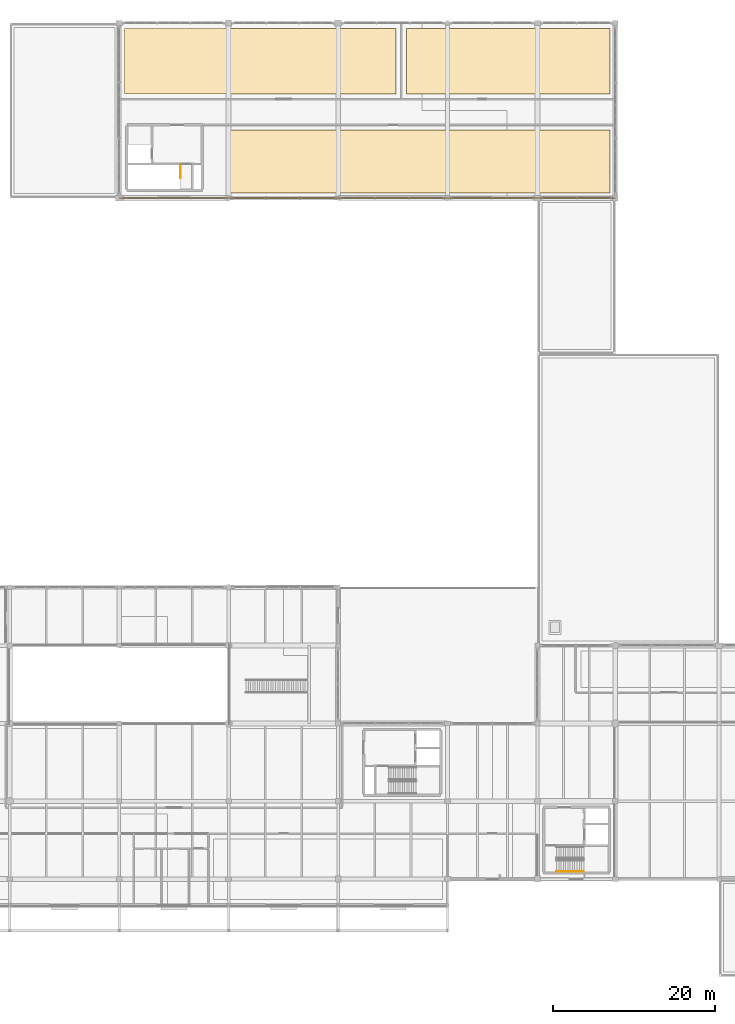
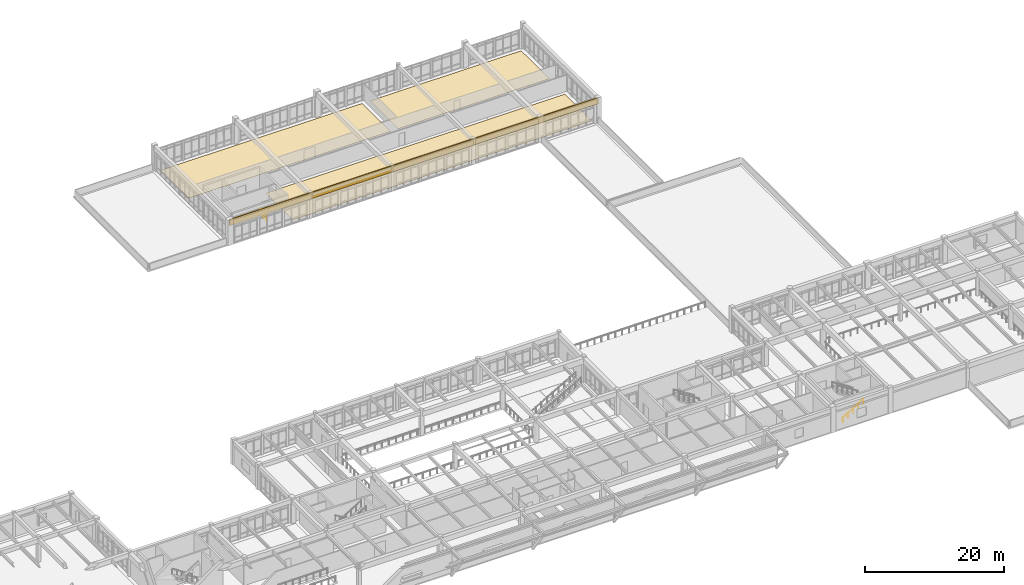
# One storey, part 106 of 109: 4 coverings, 2 railings.
"""IFC4 building model written with IfcOpenShell, lengths in metres."""

from ifc_helpers import new_model, si_unit, direction, frame, frame_2d, origin, origin_2d, place, context, subcontext, project, spatial, polyline, rectangle, circle, outline, extrude, material, layer, layer_set, type_object, element, save


model = new_model("IFC4")

# Units and contexts
model_context = context("Model", 3, precision=1e-05, world=origin(), true_north=direction((0.0, 1.0)))
body_context = subcontext(model_context, "Body", "Model", "MODEL_VIEW")
ifc_project = project(units=[si_unit("LENGTHUNIT", "METRE"), si_unit("AREAUNIT", "SQUARE_METRE"), si_unit("VOLUMEUNIT", "CUBIC_METRE"), si_unit("PLANEANGLEUNIT", "RADIAN"), si_unit("MASSUNIT", "GRAM", prefix="KILO")], contexts=[model_context])

# Site, building, storey
site_placement = place(None, origin())
site = spatial("IfcSite", under=ifc_project, at=site_placement, CompositionType="ELEMENT")
building_placement = place(site_placement, origin())
building = spatial("IfcBuilding", under=site, at=building_placement, Name="Fikremerkos Civic Library", CompositionType="ELEMENT")
storey_placement = place(building_placement, frame((0.0, 0.0, 5.39990234375)))
storey = spatial("IfcBuildingStorey", under=building, at=storey_placement, Name="L01", CompositionType="ELEMENT", Elevation=5.39990234375)

# Railing
ifc_material_1 = material(Name="Painted Steel S275", Category="steel")
railing_type_1 = type_object("IfcRailingType", Name="Interior balustrade guard RLG-INT 1100", PredefinedType="BALUSTRADE", material=ifc_material_1)
railing_1_placement = place(storey_placement, frame((80.75, 100.10009765625, 0.0)))
element("IfcRailing", 1, at=railing_1_placement, inside=storey, type_object=railing_type_1, Name="L01 ST-K5 top well guard 1", PredefinedType="BALUSTRADE", context=body_context, shape_type="SweptSolid", body=[
    extrude(circle(Radius=0.02392578125, at=origin_2d()), frame((0.0, 0.0, 1.076171875), z_axis=(0.0, -1.0, 0.0), x_axis=(1.0, 0.0, 0.0)), (0.0, 0.0, 1.0), 1.60009765625),
    extrude(circle(Radius=0.02099609375, at=origin_2d()), origin(), (0.0, 0.0, 1.0), 1.052001953125),
    extrude(circle(Radius=0.02099609375, at=origin_2d()), frame((0.0, -0.800048828125, 0.0)), (0.0, 0.0, 1.0), 1.052001953125),
    extrude(circle(Radius=0.02099609375, at=origin_2d()), frame((0.0, -1.60009765625, 0.0)), (0.0, 0.0, 1.0), 1.052001953125),
])

# Coverings
ifc_material_2 = material(Name="Polished basalt terrazzo", Category="masonry")
ifc_layer_1 = layer(ifc_material_2, 0.030029296875, Name="Polished basalt terrazzo")
ifc_layer_set_1 = layer_set([ifc_layer_1], Name="Polished basalt terrazzo")
covering_type_1 = type_object("IfcCoveringType", Name="Polished basalt terrazzo flooring FLR-01", PredefinedType="FLOORING", material=ifc_layer_set_1)
covering_1_placement = place(storey_placement, origin())
element("IfcCovering", 2, at=covering_1_placement, inside=storey, type_object=covering_type_1, Name="Terrazzo floor finish Children's Picture Book Loft", PredefinedType="FLOORING", context=body_context, shape_type="SweptSolid", body=[
    extrude(outline(polyline([(107.35009765625, 116.949951171875), (107.35009765625, 108.85009765625), (73.85009765625, 108.85009765625), (73.85009765625, 116.949951171875), (107.35009765625, 116.949951171875)])), origin(), (0.0, 0.0, 1.0), 0.030029296875),
])
covering_2_placement = place(storey_placement, origin())
element("IfcCovering", 3, at=covering_2_placement, inside=storey, type_object=covering_type_1, Name="Terrazzo floor finish Family Reading Room", PredefinedType="FLOORING", context=body_context, shape_type="SweptSolid", body=[
    extrude(outline(polyline([(133.75, 116.949951171875), (133.75, 108.85009765625), (108.64990234375, 108.85009765625), (108.64990234375, 116.949951171875), (133.75, 116.949951171875)])), origin(), (0.0, 0.0, 1.0), 0.030029296875),
])
covering_3_placement = place(storey_placement, origin())
element("IfcCovering", 4, at=covering_3_placement, inside=storey, type_object=covering_type_1, Name="Terrazzo floor finish Youth Digital Lab", PredefinedType="FLOORING", context=body_context, shape_type="SweptSolid", body=[
    extrude(outline(polyline([(133.75, 104.39990234375), (133.75, 96.64990234375), (84.10009765625, 96.64990234375), (84.10009765625, 104.39990234375), (133.75, 104.39990234375)])), origin(), (0.0, 0.0, 1.0), 0.030029296875),
])
ifc_material_3 = material(Name="Precast basalt cladding panel", Category="masonry")
ifc_layer_2 = layer(ifc_material_3, 0.159912109375, Name="Precast basalt cladding panel")
ifc_layer_set_2 = layer_set([ifc_layer_2], Name="Precast basalt cladding panel")
covering_type_2 = type_object("IfcCoveringType", Name="Precast basalt cladding panel CLD-02", PredefinedType="CLADDING", material=ifc_layer_set_2)
covering_4_placement = place(storey_placement, frame((73.199951171875, 96.0, 3.25), z_axis=(0.0, 0.0, 1.0), x_axis=(1.0, 0.0, 0.0)))
element("IfcCovering", 5, at=covering_4_placement, inside=storey, type_object=covering_type_2, Name="Children's pavilion south eave spandrel closure CLD-02", PredefinedType="CLADDING", context=body_context, shape_type="SweptSolid", body=[
    extrude(rectangle(XDim=61.199951171875, YDim=0.159912109375, at=frame_2d((30.60009765625, 0.0))), origin(), (0.0, 0.0, 1.0), 1.065185546875),
])

# Railing
ifc_material_4 = material(Name="Brushed stainless steel", Category="steel")
railing_type_2 = type_object("IfcRailingType", Name="Wall and flight handrail HRL-01 900", PredefinedType="HANDRAIL", material=ifc_material_4)
railing_2_placement = place(storey_placement, frame((127.14990234375, 12.949951171875, 0.173095703125)))
element("IfcRailing", 6, at=railing_2_placement, inside=storey, type_object=railing_type_2, Name="L01 ST-K4 stair handrail 1", PredefinedType="HANDRAIL", context=body_context, shape_type="SweptSolid", body=[
    extrude(circle(Radius=0.02392578125, at=origin_2d()), frame((0.0, 0.0, 0.8759765625), z_axis=(0.850623216509, 0.0, 0.525775754039), x_axis=(0.0, 1.0, 0.0)), (0.0, 0.0, 1.0), 3.9501953125),
    extrude(circle(Radius=0.02099609375, at=origin_2d()), origin(), (0.0, 0.0, 1.0), 0.851806640625),
    extrude(circle(Radius=0.02099609375, at=origin_2d()), frame((0.840087890625, 0.0, 0.519287109375)), (0.0, 0.0, 1.0), 0.851806640625),
    extrude(circle(Radius=0.02099609375, at=origin_2d()), frame((1.68017578125, 0.0, 1.03857421875)), (0.0, 0.0, 1.0), 0.851806640625),
    extrude(circle(Radius=0.02099609375, at=origin_2d()), frame((2.52001953125, 0.0, 1.5576171875)), (0.0, 0.0, 1.0), 0.851806640625),
    extrude(circle(Radius=0.02099609375, at=origin_2d()), frame((3.360107421875, 0.0, 2.076904296875)), (0.0, 0.0, 1.0), 0.851806640625),
])

save(model, "model.ifc")
